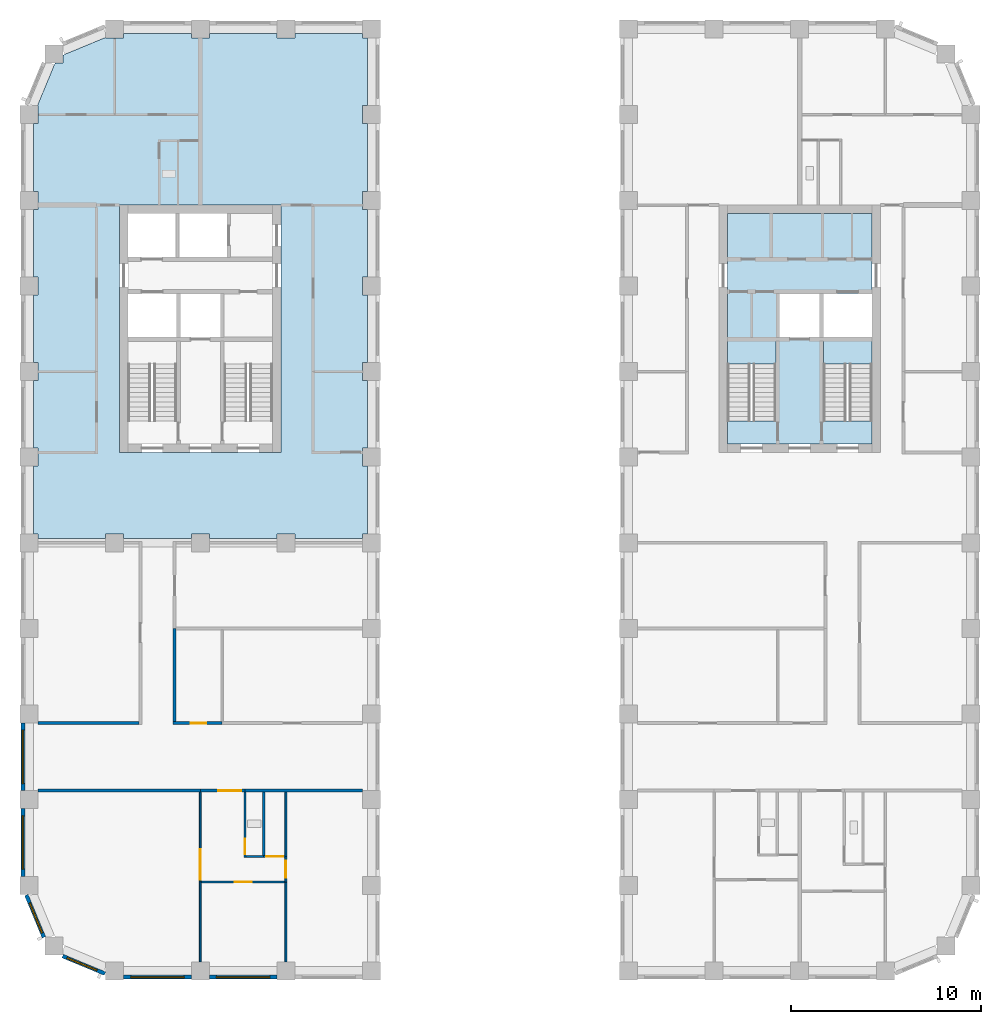
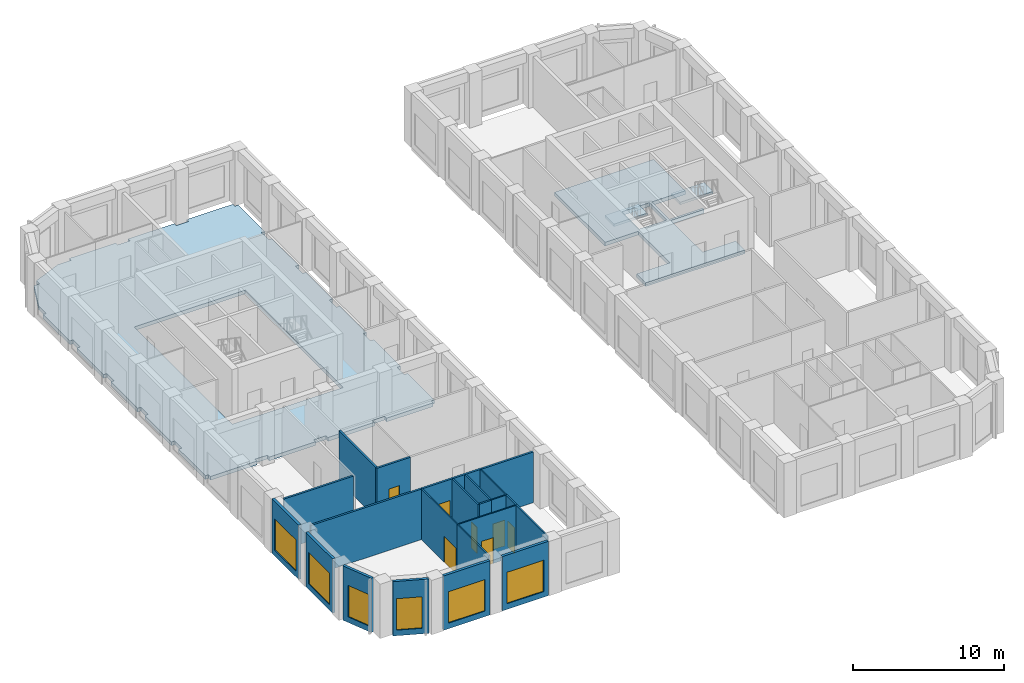
# One storey, part 2 of 13: 22 walls, 7 doors, 6 windows, 4 slabs, 13 openings, 2 elements without a shape of their own.
"""IFC4 building model written with IfcOpenShell, lengths in metres."""

from ifc_helpers import new_model, si_unit, direction, frame, frame_2d, origin, place, context, subcontext, project, spatial, polyline, rectangle, outline, extrude, material, layer, layer_set, type_object, element, fill, aggregate, save


model = new_model("IFC4")

# Units and contexts
model_context = context("Model", 3, precision=1e-05, world=origin(), true_north=direction((0.0, 1.0)))
body_context = subcontext(model_context, "Body", "Model", "MODEL_VIEW")
ifc_project = project(units=[si_unit("LENGTHUNIT", "METRE"), si_unit("AREAUNIT", "SQUARE_METRE"), si_unit("VOLUMEUNIT", "CUBIC_METRE"), si_unit("PLANEANGLEUNIT", "RADIAN"), si_unit("MASSUNIT", "GRAM", prefix="KILO")], contexts=[model_context])

# Site, building, storey
site_placement = place(None, origin())
site = spatial("IfcSite", under=ifc_project, at=site_placement, CompositionType="ELEMENT")
building_placement = place(site_placement, origin())
building = spatial("IfcBuilding", under=site, at=building_placement, Name="Girih Gate Residences", CompositionType="ELEMENT")
storey_placement = place(building_placement, frame((0.0, 0.0, 150.60009765625)))
storey = spatial("IfcBuildingStorey", under=building, at=storey_placement, Name="L42", CompositionType="ELEMENT", Elevation=150.60009765625)

# Slabs
ifc_material_1 = material(Name="Concrete C40/50", Category="concrete")
ifc_layer_1 = layer(ifc_material_1, 0.300048828125)
ifc_layer_set_1 = layer_set([ifc_layer_1], Name="Core floor slab 300")
slab_type_1 = type_object("IfcSlabType", Name="Core floor slab 300", PredefinedType="FLOOR", material=ifc_layer_set_1)
slab_1_placement = place(storey_placement, frame((0.0, 0.0, -0.300048828125)))
element("IfcSlab", 1, at=slab_1_placement, inside=storey, type_object=slab_type_1, Name="L42 E core floor", PredefinedType="FLOOR", context=body_context, shape_type="SweptSolid", body=[
    extrude(outline(polyline([(44.300048828125, 27.699951171875), (36.699951171875, 27.699951171875), (36.699951171875, 28.900634765625), (39.25, 28.900634765625), (39.25, 33.10009765625), (36.699951171875, 33.10009765625), (36.699951171875, 39.800048828125), (44.300048828125, 39.800048828125), (44.300048828125, 35.60009765625), (41.75, 35.60009765625), (41.75, 33.300048828125), (44.300048828125, 33.300048828125), (44.300048828125, 33.10009765625), (41.75, 33.10009765625), (41.75, 28.900634765625), (44.300048828125, 28.900634765625), (44.300048828125, 27.699951171875)]), holes=[polyline([(39.449951171875, 33.300048828125), (41.550048828125, 33.300048828125), (41.550048828125, 35.60009765625), (39.449951171875, 35.60009765625), (39.449951171875, 33.300048828125)])]), origin(), (0.0, 0.0, 1.0), 0.300048828125),
])
ifc_layer_2 = layer(ifc_material_1, 0.300048828125)
ifc_layer_set_2 = layer_set([ifc_layer_2], Name="Floor slab PT 300 Concrete C40/50")
slab_type_2 = type_object("IfcSlabType", Name="Floor slab PT 300 Concrete C40/50", PredefinedType="FLOOR", material=ifc_layer_set_2)
slab_2_placement = place(storey_placement, frame((0.0, 0.0, -0.300048828125)))
element("IfcSlab", 2, at=slab_2_placement, inside=storey, type_object=slab_type_2, Name="Floor slab L42 2", PredefinedType="FLOOR", context=body_context, shape_type="SweptSolid", body=[
    extrude(outline(polyline([(0.22509765625, 26.52490234375), (0.22509765625, 22.97509765625), (0.47509765625, 22.97509765625), (0.47509765625, 22.72509765625), (4.02490234375, 22.72509765625), (4.02490234375, 22.97509765625), (4.97509765625, 22.97509765625), (4.97509765625, 22.72509765625), (8.52490234375, 22.72509765625), (8.52490234375, 22.97509765625), (9.47509765625, 22.97509765625), (9.47509765625, 22.72509765625), (13.02490234375, 22.72509765625), (13.02490234375, 22.97509765625), (13.97509765625, 22.97509765625), (13.97509765625, 22.72509765625), (17.52490234375, 22.72509765625), (17.52490234375, 22.97509765625), (17.77490234375, 22.97509765625), (17.77490234375, 26.52490234375), (17.52490234375, 26.52490234375), (17.52490234375, 27.47509765625), (17.77490234375, 27.47509765625), (17.77490234375, 31.02490234375), (17.52490234375, 31.02490234375), (17.52490234375, 31.97509765625), (17.77490234375, 31.97509765625), (17.77490234375, 35.52490234375), (17.52490234375, 35.52490234375), (17.52490234375, 36.47509765625), (17.77490234375, 36.47509765625), (17.77490234375, 40.02490234375), (17.52490234375, 40.02490234375), (17.52490234375, 40.97509765625), (17.77490234375, 40.97509765625), (17.77490234375, 44.52490234375), (17.52490234375, 44.52490234375), (17.52490234375, 45.47509765625), (17.77490234375, 45.47509765625), (17.77490234375, 49.02490234375), (17.52490234375, 49.02490234375), (17.52490234375, 49.27490234375), (13.97509765625, 49.27490234375), (13.97509765625, 49.02490234375), (13.02490234375, 49.02490234375), (13.02490234375, 49.27490234375), (9.47509765625, 49.27490234375), (9.47509765625, 49.02490234375), (8.52490234375, 49.02490234375), (8.52490234375, 49.27490234375), (4.97509765625, 49.27490234375), (4.97509765625, 49.02490234375), (4.02490234375, 49.02490234375), (4.02490234375, 49.059814453125), (1.79296875, 48.13525390625), (1.79296875, 47.70703125), (1.36474609375, 47.70703125), (0.440185546875, 45.47509765625), (0.47509765625, 45.47509765625), (0.47509765625, 44.52490234375), (0.22509765625, 44.52490234375), (0.22509765625, 40.97509765625), (0.47509765625, 40.97509765625), (0.47509765625, 40.02490234375), (0.22509765625, 40.02490234375), (0.22509765625, 36.47509765625), (0.47509765625, 36.47509765625), (0.47509765625, 35.52490234375), (0.22509765625, 35.52490234375), (0.22509765625, 31.97509765625), (0.47509765625, 31.97509765625), (0.47509765625, 31.02490234375), (0.22509765625, 31.02490234375), (0.22509765625, 27.47509765625), (0.47509765625, 27.47509765625), (0.47509765625, 26.52490234375), (0.22509765625, 26.52490234375)]), holes=[polyline([(13.25, 40.25), (13.25, 27.25), (4.75, 27.25), (4.75, 40.25), (13.25, 40.25)])]), origin(), (0.0, 0.0, 1.0), 0.300048828125),
])

# Stair, slab
stair_type = type_object("IfcStairType", Name="Exit stair", PredefinedType="HALF_TURN_STAIR", material=ifc_material_1)
stair_1_placement = place(storey_placement, origin())
stair_1 = element("IfcStair", 3, at=stair_1_placement, inside=storey, type_object=stair_type, Name="L42 Exit Stair ST-E1", PredefinedType="HALF_TURN_STAIR")
ifc_layer_3 = layer(ifc_material_1, 0.199951171875)
ifc_layer_set_3 = layer_set([ifc_layer_3], Name="Stair landing 200")
slab_type_3 = type_object("IfcSlabType", Name="Stair landing 200", PredefinedType="LANDING", material=ifc_layer_set_3)
slab_3_placement = place(storey_placement, frame((0.0, 0.0, 2.0)))
slab_3 = element("IfcSlab", 4, at=slab_3_placement, type_object=slab_type_3, Name="ST-E1 landing 1", PredefinedType="LANDING", context=body_context, shape_type="SweptSolid", body=[
    extrude(outline(polyline([(44.300048828125, 31.89990234375), (44.300048828125, 33.10009765625), (41.75, 33.10009765625), (41.75, 31.89990234375), (44.300048828125, 31.89990234375)])), origin(), (0.0, 0.0, 1.0), 0.199951171875),
])
aggregate(stair_1, [slab_3])

stair_2_placement = place(storey_placement, origin())
stair_2 = element("IfcStair", 5, at=stair_2_placement, inside=storey, type_object=stair_type, Name="L42 Exit Stair ST-E2", PredefinedType="HALF_TURN_STAIR")
slab_4_placement = place(storey_placement, frame((0.0, 0.0, 2.0)))
slab_4 = element("IfcSlab", 6, at=slab_4_placement, type_object=slab_type_3, Name="ST-E2 landing 1", PredefinedType="LANDING", context=body_context, shape_type="SweptSolid", body=[
    extrude(outline(polyline([(39.25, 31.89990234375), (39.25, 33.10009765625), (36.699951171875, 33.10009765625), (36.699951171875, 31.89990234375), (39.25, 31.89990234375)])), origin(), (0.0, 0.0, 1.0), 0.199951171875),
])
aggregate(stair_2, [slab_4])

# Wall
ifc_material_2 = material(Name="Gypsum board on steel studs", Category="steel")
ifc_layer_4 = layer(ifc_material_2, 0.14990234375)
ifc_layer_set_4 = layer_set([ifc_layer_4], Name="Compartment wall 150 mm")
wall_type_1 = type_object("IfcWallType", Name="Compartment wall 150 mm", PredefinedType="PARTITIONING", material=ifc_layer_set_4)
wall_1_placement = place(storey_placement, frame((11.35009765625, 9.47509765625, 0.0), z_axis=(0.0, 0.0, 1.0), x_axis=(1.0, 0.0, 0.0)))
element("IfcWall", 7, at=wall_1_placement, inside=storey, type_object=wall_type_1, Name="L42 partition", PredefinedType="PARTITIONING", context=body_context, shape_type="SweptSolid", body=[
    extrude(rectangle(XDim=6.1748046875, YDim=0.14990234375, at=frame_2d((3.08740234375, 0.0))), origin(), (0.0, 0.0, 1.0), 4.099853515625),
])

# Wall, opening, door
wall_2_placement = place(storey_placement, frame((11.35009765625, 9.47509765625, 0.0), z_axis=(0.0, 0.0, 1.0), x_axis=(-1.0, 0.0, 0.0)))
wall_2 = element("IfcWall", 8, at=wall_2_placement, inside=storey, type_object=wall_type_1, Name="L42 partition", PredefinedType="PARTITIONING", context=body_context, shape_type="SweptSolid", body=[
    extrude(rectangle(XDim=2.35009765625, YDim=0.14990234375, at=frame_2d((1.175048828125, 0.0))), origin(), (0.0, 0.0, 1.0), 4.099853515625),
])
opening_1_placement = place(wall_2_placement, frame((0.199951171875, 0.0, 0.0)))
opening_1 = element("IfcOpeningElement", 9, at=opening_1_placement, cuts=wall_2, Name="Opening A42-006", PredefinedType="OPENING", context=body_context, shape_type="SweptSolid", body=[
    extrude(rectangle(XDim=1.199951171875, YDim=2.39990234375, at=frame_2d((0.60009765625, 1.199951171875))), frame((0.0, 0.0849609375, 0.0), z_axis=(0.0, -1.0, 0.0), x_axis=(1.0, 0.0, 0.0)), (0.0, 0.0, 1.0), 0.169921875),
])
ifc_material_3 = material(Name="Timber, fire-rated core", Category="wood")
door_type_1 = type_object("IfcDoorType", Name="Villa entrance door 1200x2400 FD30S", OperationType="NOTDEFINED", PredefinedType="DOOR", material=ifc_material_3)
door_1_placement = place(opening_1_placement, origin())
door_1 = element("IfcDoor", 10, at=door_1_placement, inside=storey, type_object=door_type_1, Name="Door A42-006", OperationType="SINGLE_SWING_LEFT", OverallHeight=2.39990234375, OverallWidth=1.199951171875, PredefinedType="DOOR", context=body_context, shape_type="SweptSolid", body=[
    extrude(rectangle(XDim=1.199951171875, YDim=2.39990234375, at=frame_2d((0.60009765625, 1.199951171875))), frame((0.0, 0.02490234375, 0.0), z_axis=(0.0, -1.0, 0.0), x_axis=(1.0, 0.0, 0.0)), (0.0, 0.0, 1.0), 0.050048828125),
])
fill(opening_1, door_1)

# Wall
wall_3_placement = place(storey_placement, frame((0.47509765625, 9.47509765625, 0.0), z_axis=(0.0, 0.0, 1.0), x_axis=(1.0, 0.0, 0.0)))
element("IfcWall", 11, at=wall_3_placement, inside=storey, type_object=wall_type_1, Name="L42 partition", PredefinedType="PARTITIONING", context=body_context, shape_type="SweptSolid", body=[
    extrude(rectangle(XDim=8.52490234375, YDim=0.14990234375, at=frame_2d((4.262451171875, 0.0))), origin(), (0.0, 0.0, 1.0), 4.099853515625),
])

# Wall, opening, door
wall_4_placement = place(storey_placement, frame((7.574951171875, 13.02490234375, 0.0), z_axis=(0.0, 0.0, 1.0), x_axis=(1.0, 0.0, 0.0)))
wall_4 = element("IfcWall", 12, at=wall_4_placement, inside=storey, type_object=wall_type_1, Name="L42 partition", PredefinedType="PARTITIONING", context=body_context, shape_type="SweptSolid", body=[
    extrude(rectangle(XDim=2.574951171875, YDim=0.14990234375, at=frame_2d((1.28759765625, 0.0))), origin(), (0.0, 0.0, 1.0), 4.099853515625),
])
opening_2_placement = place(wall_4_placement, frame((0.925048828125, 0.0, 0.0)))
opening_2 = element("IfcOpeningElement", 13, at=opening_2_placement, cuts=wall_4, Name="Opening A42-032", PredefinedType="OPENING", context=body_context, shape_type="SweptSolid", body=[
    extrude(rectangle(XDim=0.800048828125, YDim=2.10009765625, at=frame_2d((0.39990234375, 1.050048828125))), frame((0.0, 0.0849609375, 0.0), z_axis=(0.0, -1.0, 0.0), x_axis=(1.0, 0.0, 0.0)), (0.0, 0.0, 1.0), 0.169921875),
])
ifc_material_4 = material(Name="Timber", Category="wood")
door_type_2 = type_object("IfcDoorType", Name="Bathroom door 800x2100", OperationType="NOTDEFINED", PredefinedType="DOOR", material=ifc_material_4)
door_2_placement = place(opening_2_placement, origin())
door_2 = element("IfcDoor", 14, at=door_2_placement, inside=storey, type_object=door_type_2, Name="Door A42-032", OperationType="SINGLE_SWING_RIGHT", OverallHeight=2.10009765625, OverallWidth=0.800048828125, PredefinedType="DOOR", context=body_context, shape_type="SweptSolid", body=[
    extrude(rectangle(XDim=0.800048828125, YDim=2.10009765625, at=frame_2d((0.39990234375, 1.050048828125))), frame((0.0, 0.02490234375, 0.0), z_axis=(0.0, -1.0, 0.0), x_axis=(1.0, 0.0, 0.0)), (0.0, 0.0, 1.0), 0.050048828125),
])
fill(opening_2, door_2)

# Walls
wall_5_placement = place(storey_placement, frame((0.47509765625, 13.02490234375, 0.0), z_axis=(0.0, 0.0, 1.0), x_axis=(1.0, 0.0, 0.0)))
element("IfcWall", 15, at=wall_5_placement, inside=storey, type_object=wall_type_1, Name="L42 partition", PredefinedType="PARTITIONING", context=body_context, shape_type="SweptSolid", body=[
    extrude(rectangle(XDim=5.2998046875, YDim=0.14990234375, at=frame_2d((2.64990234375, 0.0))), origin(), (0.0, 0.0, 1.0), 4.099853515625),
])
wall_6_placement = place(storey_placement, frame((7.64990234375, 13.10009765625, 0.0), z_axis=(0.0, 0.0, 1.0), x_axis=(0.0, 1.0, 0.0)))
element("IfcWall", 16, at=wall_6_placement, inside=storey, type_object=wall_type_1, Name="L42 partition", PredefinedType="PARTITIONING", context=body_context, shape_type="SweptSolid", body=[
    extrude(rectangle(XDim=4.89990234375, YDim=0.14990234375, at=frame_2d((2.449951171875, 0.0))), origin(), (0.0, 0.0, 1.0), 4.099853515625),
])
ifc_layer_5 = layer(ifc_material_2, 0.10009765625)
ifc_layer_set_5 = layer_set([ifc_layer_5], Name="Partition 100 mm")
wall_type_2 = type_object("IfcWallType", Name="Partition 100 mm", PredefinedType="PARTITIONING", material=ifc_layer_set_5)
wall_7_placement = place(storey_placement, frame((13.5, 0.47509765625, 0.0), z_axis=(0.0, 0.0, 1.0), x_axis=(0.0, 1.0, 0.0)))
element("IfcWall", 17, at=wall_7_placement, inside=storey, type_object=wall_type_2, Name="L42 partition", PredefinedType="PARTITIONING", context=body_context, shape_type="SweptSolid", body=[
    extrude(rectangle(XDim=4.199951171875, YDim=0.10009765625, at=frame_2d((2.10009765625, 0.0))), origin(), (0.0, 0.0, 1.0), 4.099853515625),
])

# Wall, opening, door
wall_8_placement = place(storey_placement, frame((13.449951171875, 4.675048828125, 0.0), z_axis=(0.0, 0.0, 1.0), x_axis=(-1.0, 0.0, 0.0)))
wall_8 = element("IfcWall", 18, at=wall_8_placement, inside=storey, type_object=wall_type_2, Name="L42 partition", PredefinedType="PARTITIONING", context=body_context, shape_type="SweptSolid", body=[
    extrude(rectangle(XDim=4.39990234375, YDim=0.10009765625, at=frame_2d((2.199951171875, 0.0))), origin(), (0.0, 0.0, 1.0), 4.099853515625),
])
opening_3_placement = place(wall_8_placement, frame((1.75, 0.0, 0.0)))
opening_3 = element("IfcOpeningElement", 19, at=opening_3_placement, cuts=wall_8, Name="Opening A42-002", PredefinedType="OPENING", context=body_context, shape_type="SweptSolid", body=[
    extrude(rectangle(XDim=0.89990234375, YDim=2.10009765625, at=frame_2d((0.449951171875, 1.050048828125))), frame((0.0, 0.06005859375, 0.0), z_axis=(0.0, -1.0, 0.0), x_axis=(1.0, 0.0, 0.0)), (0.0, 0.0, 1.0), 0.1201171875),
])
door_type_3 = type_object("IfcDoorType", Name="Bedroom door 900x2100", OperationType="NOTDEFINED", PredefinedType="DOOR", material=ifc_material_4)
door_3_placement = place(opening_3_placement, origin())
door_3 = element("IfcDoor", 20, at=door_3_placement, inside=storey, type_object=door_type_3, Name="Door A42-002", OperationType="SINGLE_SWING_RIGHT", OverallHeight=2.10009765625, OverallWidth=0.89990234375, PredefinedType="DOOR", context=body_context, shape_type="SweptSolid", body=[
    extrude(rectangle(XDim=0.89990234375, YDim=2.10009765625, at=frame_2d((0.449951171875, 1.050048828125))), frame((0.0, 0.02490234375, 0.0), z_axis=(0.0, -1.0, 0.0), x_axis=(1.0, 0.0, 0.0)), (0.0, 0.0, 1.0), 0.050048828125),
])
fill(opening_3, door_3)

# Wall
wall_9_placement = place(storey_placement, frame((9.0, 0.47509765625, 0.0), z_axis=(0.0, 0.0, 1.0), x_axis=(0.0, 1.0, 0.0)))
element("IfcWall", 21, at=wall_9_placement, inside=storey, type_object=wall_type_2, Name="L42 partition", PredefinedType="PARTITIONING", context=body_context, shape_type="SweptSolid", body=[
    extrude(rectangle(XDim=4.199951171875, YDim=0.10009765625, at=frame_2d((2.10009765625, 0.0))), origin(), (0.0, 0.0, 1.0), 4.099853515625),
])

# Wall, opening, door
wall_10_placement = place(storey_placement, frame((13.5, 6.014892578125, 0.0), z_axis=(0.0, 0.0, 1.0), x_axis=(0.0, -1.0, 0.0)))
wall_10 = element("IfcWall", 22, at=wall_10_placement, inside=storey, type_object=wall_type_2, Name="L42 partition", PredefinedType="PARTITIONING", context=body_context, shape_type="SweptSolid", body=[
    extrude(rectangle(XDim=1.33984375, YDim=0.10009765625, at=frame_2d((0.669921875, 0.0))), origin(), (0.0, 0.0, 1.0), 4.099853515625),
])
opening_4_placement = place(wall_10_placement, frame((0.219970703125, 0.0, 0.0)))
opening_4 = element("IfcOpeningElement", 23, at=opening_4_placement, cuts=wall_10, Name="Opening A42-003", PredefinedType="OPENING", context=body_context, shape_type="SweptSolid", body=[
    extrude(rectangle(XDim=0.89990234375, YDim=2.10009765625, at=frame_2d((0.449951171875, 1.050048828125))), frame((0.0, 0.06005859375, 0.0), z_axis=(0.0, -1.0, 0.0), x_axis=(1.0, 0.0, 0.0)), (0.0, 0.0, 1.0), 0.1201171875),
])
door_4_placement = place(opening_4_placement, origin())
door_4 = element("IfcDoor", 24, at=door_4_placement, inside=storey, type_object=door_type_3, Name="Door A42-003", OperationType="SINGLE_SWING_RIGHT", OverallHeight=2.10009765625, OverallWidth=0.89990234375, PredefinedType="DOOR", context=body_context, shape_type="SweptSolid", body=[
    extrude(rectangle(XDim=0.89990234375, YDim=2.10009765625, at=frame_2d((0.449951171875, 1.050048828125))), frame((0.0, 0.02490234375, 0.0), z_axis=(0.0, -1.0, 0.0), x_axis=(1.0, 0.0, 0.0)), (0.0, 0.0, 1.0), 0.050048828125),
])
fill(opening_4, door_4)

# Wall
wall_11_placement = place(storey_placement, frame((13.5, 6.014892578125, 0.0), z_axis=(0.0, 0.0, 1.0), x_axis=(0.0, 1.0, 0.0)))
element("IfcWall", 25, at=wall_11_placement, inside=storey, type_object=wall_type_2, Name="L42 partition", PredefinedType="PARTITIONING", context=body_context, shape_type="SweptSolid", body=[
    extrude(rectangle(XDim=3.385009765625, YDim=0.10009765625, at=frame_2d((1.6923828125, 0.0))), origin(), (0.0, 0.0, 1.0), 4.099853515625),
])

# Wall, opening, door
wall_12_placement = place(storey_placement, frame((12.327392578125, 6.014892578125, 0.0), z_axis=(0.0, 0.0, 1.0), x_axis=(1.0, 0.0, 0.0)))
wall_12 = element("IfcWall", 26, at=wall_12_placement, inside=storey, type_object=wall_type_2, Name="L42 partition", PredefinedType="PARTITIONING", context=body_context, shape_type="SweptSolid", body=[
    extrude(rectangle(XDim=1.12255859375, YDim=0.10009765625, at=frame_2d((0.561279296875, 0.0))), origin(), (0.0, 0.0, 1.0), 4.099853515625),
])
opening_5_placement = place(wall_12_placement, frame((0.136474609375, 0.0, 0.0)))
opening_5 = element("IfcOpeningElement", 27, at=opening_5_placement, cuts=wall_12, Name="Opening A42-004", PredefinedType="OPENING", context=body_context, shape_type="SweptSolid", body=[
    extrude(rectangle(XDim=0.89990234375, YDim=2.10009765625, at=frame_2d((0.449951171875, 1.050048828125))), frame((0.0, 0.06005859375, 0.0), z_axis=(0.0, -1.0, 0.0), x_axis=(1.0, 0.0, 0.0)), (0.0, 0.0, 1.0), 0.1201171875),
])
door_type_4 = type_object("IfcDoorType", Name="Kitchen door 900x2100", OperationType="NOTDEFINED", PredefinedType="DOOR", material=ifc_material_4)
door_5_placement = place(opening_5_placement, origin())
door_5 = element("IfcDoor", 28, at=door_5_placement, inside=storey, type_object=door_type_4, Name="Door A42-004", OperationType="SINGLE_SWING_RIGHT", OverallHeight=2.10009765625, OverallWidth=0.89990234375, PredefinedType="DOOR", context=body_context, shape_type="SweptSolid", body=[
    extrude(rectangle(XDim=0.89990234375, YDim=2.10009765625, at=frame_2d((0.449951171875, 1.050048828125))), frame((0.0, 0.02490234375, 0.0), z_axis=(0.0, -1.0, 0.0), x_axis=(1.0, 0.0, 0.0)), (0.0, 0.0, 1.0), 0.050048828125),
])
fill(opening_5, door_5)

wall_13_placement = place(storey_placement, frame((9.0, 4.675048828125, 0.0), z_axis=(0.0, 0.0, 1.0), x_axis=(0.0, 1.0, 0.0)))
wall_13 = element("IfcWall", 29, at=wall_13_placement, inside=storey, type_object=wall_type_2, Name="L42 partition", PredefinedType="PARTITIONING", context=body_context, shape_type="SweptSolid", body=[
    extrude(rectangle(XDim=4.724853515625, YDim=0.10009765625, at=frame_2d((2.3623046875, 0.0))), origin(), (0.0, 0.0, 1.0), 4.099853515625),
])
opening_6_placement = place(wall_13_placement, frame((0.1298828125, 0.0, 0.0)))
opening_6 = element("IfcOpeningElement", 30, at=opening_6_placement, cuts=wall_13, Name="Opening A42-005", PredefinedType="OPENING", context=body_context, shape_type="SweptSolid", body=[
    extrude(rectangle(XDim=1.60009765625, YDim=2.10009765625, at=frame_2d((0.800048828125, 1.050048828125))), frame((0.0, 0.06005859375, 0.0), z_axis=(0.0, -1.0, 0.0), x_axis=(1.0, 0.0, 0.0)), (0.0, 0.0, 1.0), 0.1201171875),
])
door_type_5 = type_object("IfcDoorType", Name="Double leaf door 1600x2100", OperationType="NOTDEFINED", PredefinedType="DOOR", material=ifc_material_4)
door_6_placement = place(opening_6_placement, origin())
door_6 = element("IfcDoor", 31, at=door_6_placement, inside=storey, type_object=door_type_5, Name="Door A42-005", OperationType="SINGLE_SWING_LEFT", OverallHeight=2.10009765625, OverallWidth=1.60009765625, PredefinedType="DOOR", context=body_context, shape_type="SweptSolid", body=[
    extrude(rectangle(XDim=1.60009765625, YDim=2.10009765625, at=frame_2d((0.800048828125, 1.050048828125))), frame((0.0, 0.02490234375, 0.0), z_axis=(0.0, -1.0, 0.0), x_axis=(1.0, 0.0, 0.0)), (0.0, 0.0, 1.0), 0.050048828125),
])
fill(opening_6, door_6)

# Wall, opening, window
ifc_material_5 = material(Name="Precast concrete C50/60", Category="concrete")
ifc_layer_6 = layer(ifc_material_5, 0.06005859375, Name="Outer leaf")
ifc_material_6 = material(Name="Rigid PIR insulation")
ifc_layer_7 = layer(ifc_material_6, 0.090087890625, Name="Insulation")
ifc_material_7 = material(Name="Precast concrete C40/50", Category="concrete")
ifc_layer_8 = layer(ifc_material_7, 0.050048828125, Name="Inner leaf")
ifc_layer_set_6 = layer_set([ifc_layer_6, ifc_layer_7, ifc_layer_8], Name="Precast concrete C50/60 external wall 200")
wall_type_3 = type_object("IfcWallType", Name="Precast concrete C50/60 external wall 200", PredefinedType="SOLIDWALL", material=ifc_layer_set_6)
wall_14_placement = place(storey_placement, frame((-0.324951171875, 9.47509765625, 0.0), z_axis=(0.0, 0.0, 1.0), x_axis=(0.0, 1.0, 0.0)))
wall_14 = element("IfcWall", 32, at=wall_14_placement, inside=storey, type_object=wall_type_3, Name="External wall W0000_0450.7", PredefinedType="SOLIDWALL", context=body_context, shape_type="SweptSolid", body=[
    extrude(rectangle(XDim=3.5498046875, YDim=0.199951171875, at=frame_2d((1.77490234375, 0.0))), origin(), (0.0, 0.0, 1.0), 4.39990234375),
])
opening_7_placement = place(wall_14_placement, frame((0.375, 0.0, 0.449951171875)))
opening_7 = element("IfcOpeningElement", 33, at=opening_7_placement, cuts=wall_14, Name="Opening W-6A", PredefinedType="OPENING", context=body_context, shape_type="SweptSolid", body=[
    extrude(rectangle(XDim=2.800048828125, YDim=2.550048828125, at=frame_2d((1.39990234375, 1.27490234375))), frame((0.0, 0.10986328125, 0.0), z_axis=(0.0, -1.0, 0.0), x_axis=(1.0, 0.0, 0.0)), (0.0, 0.0, 1.0), 0.219970703125),
])
ifc_material_8 = material(Name="Double glazing in aluminium frame", Category="aluminium")
window_type_1 = type_object("IfcWindowType", Name="Window W-6A 2800x2550", PartitioningType="SINGLE_PANEL", PredefinedType="WINDOW", material=ifc_material_8)
window_1_placement = place(opening_7_placement, origin())
window_1 = element("IfcWindow", 34, at=window_1_placement, inside=storey, type_object=window_type_1, Name="Window W-6A W0000_0450.7", OverallHeight=2.550048828125, OverallWidth=2.800048828125, PartitioningType="SINGLE_PANEL", PredefinedType="WINDOW", context=body_context, shape_type="SweptSolid", body=[
    extrude(rectangle(XDim=2.800048828125, YDim=2.550048828125, at=frame_2d((1.39990234375, 1.27490234375))), frame((0.0, 0.030029296875, 0.0), z_axis=(0.0, -1.0, 0.0), x_axis=(1.0, 0.0, 0.0)), (0.0, 0.0, 1.0), 0.06005859375),
])
fill(opening_7, window_1)

wall_15_placement = place(storey_placement, frame((-0.324951171875, 4.97509765625, 0.0), z_axis=(0.0, 0.0, 1.0), x_axis=(0.0, 1.0, 0.0)))
wall_15 = element("IfcWall", 35, at=wall_15_placement, inside=storey, type_object=wall_type_3, Name="External wall W0000_0450.8", PredefinedType="SOLIDWALL", context=body_context, shape_type="SweptSolid", body=[
    extrude(rectangle(XDim=3.5498046875, YDim=0.199951171875, at=frame_2d((1.77490234375, 0.0))), origin(), (0.0, 0.0, 1.0), 4.39990234375),
])
opening_8_placement = place(wall_15_placement, frame((0.375, 0.0, 0.449951171875)))
opening_8 = element("IfcOpeningElement", 36, at=opening_8_placement, cuts=wall_15, Name="Opening W-6A", PredefinedType="OPENING", context=body_context, shape_type="SweptSolid", body=[
    extrude(rectangle(XDim=2.800048828125, YDim=2.550048828125, at=frame_2d((1.39990234375, 1.27490234375))), frame((0.0, 0.10986328125, 0.0), z_axis=(0.0, -1.0, 0.0), x_axis=(1.0, 0.0, 0.0)), (0.0, 0.0, 1.0), 0.219970703125),
])
window_2_placement = place(opening_8_placement, origin())
window_2 = element("IfcWindow", 37, at=window_2_placement, inside=storey, type_object=window_type_1, Name="Window W-6A W0000_0450.8", OverallHeight=2.550048828125, OverallWidth=2.800048828125, PartitioningType="SINGLE_PANEL", PredefinedType="WINDOW", context=body_context, shape_type="SweptSolid", body=[
    extrude(rectangle(XDim=2.800048828125, YDim=2.550048828125, at=frame_2d((1.39990234375, 1.27490234375))), frame((0.0, 0.030029296875, 0.0), z_axis=(0.0, -1.0, 0.0), x_axis=(1.0, 0.0, 0.0)), (0.0, 0.0, 1.0), 0.06005859375),
])
fill(opening_8, window_2)

wall_16_placement = place(storey_placement, frame((0.7802734375, 1.76708984375, 0.0), z_axis=(0.0, 0.0, 1.0), x_axis=(-0.382680855588, 0.923880599843, 0.0)))
wall_16 = element("IfcWall", 38, at=wall_16_placement, inside=storey, type_object=wall_type_3, Name="External wall SW0000_0045.0", PredefinedType="SOLIDWALL", context=body_context, shape_type="SweptSolid", body=[
    extrude(rectangle(XDim=2.402587890625, YDim=0.199951171875, at=frame_2d((1.201171875, 0.0))), origin(), (0.0, 0.0, 1.0), 4.39990234375),
])
opening_9_placement = place(wall_16_placement, frame((0.25146484375, 0.0, 0.449951171875)))
opening_9 = element("IfcOpeningElement", 39, at=opening_9_placement, cuts=wall_16, Name="Opening W-2F", PredefinedType="OPENING", context=body_context, shape_type="SweptSolid", body=[
    extrude(rectangle(XDim=1.699951171875, YDim=2.550048828125, at=frame_2d((0.85009765625, 1.27490234375))), frame((0.0, 0.10986328125, 0.0), z_axis=(0.0, -1.0, 0.0), x_axis=(1.0, 0.0, 0.0)), (0.0, 0.0, 1.0), 0.219970703125),
])
window_type_2 = type_object("IfcWindowType", Name="Window W-2F 1700x2550", PartitioningType="SINGLE_PANEL", PredefinedType="WINDOW", material=ifc_material_8)
window_3_placement = place(opening_9_placement, origin())
window_3 = element("IfcWindow", 40, at=window_3_placement, inside=storey, type_object=window_type_2, Name="Window W-2F SW0000_0045.0", OverallHeight=2.550048828125, OverallWidth=1.699951171875, PartitioningType="SINGLE_PANEL", PredefinedType="WINDOW", context=body_context, shape_type="SweptSolid", body=[
    extrude(rectangle(XDim=1.699951171875, YDim=2.550048828125, at=frame_2d((0.85009765625, 1.27490234375))), frame((0.0, 0.030029296875, 0.0), z_axis=(0.0, -1.0, 0.0), x_axis=(1.0, 0.0, 0.0)), (0.0, 0.0, 1.0), 0.06005859375),
])
fill(opening_9, window_3)

wall_17_placement = place(storey_placement, frame((3.98681640625, -0.13916015625, 0.0), z_axis=(0.0, 0.0, 1.0), x_axis=(-0.923880599843, 0.382680855588, 0.0)))
wall_17 = element("IfcWall", 41, at=wall_17_placement, inside=storey, type_object=wall_type_3, Name="External wall SW0013_0013.0", PredefinedType="SOLIDWALL", context=body_context, shape_type="SweptSolid", body=[
    extrude(rectangle(XDim=2.402587890625, YDim=0.199951171875, at=frame_2d((1.201171875, 0.0))), origin(), (0.0, 0.0, 1.0), 4.39990234375),
])
opening_10_placement = place(wall_17_placement, frame((0.451171875, 0.0, 0.449951171875)))
opening_10 = element("IfcOpeningElement", 42, at=opening_10_placement, cuts=wall_17, Name="Opening W-2F", PredefinedType="OPENING", context=body_context, shape_type="SweptSolid", body=[
    extrude(rectangle(XDim=1.699951171875, YDim=2.550048828125, at=frame_2d((0.85009765625, 1.27490234375))), frame((0.0, 0.10986328125, 0.0), z_axis=(0.0, -1.0, 0.0), x_axis=(1.0, 0.0, 0.0)), (0.0, 0.0, 1.0), 0.219970703125),
])
window_4_placement = place(opening_10_placement, origin())
window_4 = element("IfcWindow", 43, at=window_4_placement, inside=storey, type_object=window_type_2, Name="Window W-2F SW0013_0013.0", OverallHeight=2.550048828125, OverallWidth=1.699951171875, PartitioningType="SINGLE_PANEL", PredefinedType="WINDOW", context=body_context, shape_type="SweptSolid", body=[
    extrude(rectangle(XDim=1.699951171875, YDim=2.550048828125, at=frame_2d((0.85009765625, 1.27490234375))), frame((0.0, 0.030029296875, 0.0), z_axis=(0.0, -1.0, 0.0), x_axis=(1.0, 0.0, 0.0)), (0.0, 0.0, 1.0), 0.06005859375),
])
fill(opening_10, window_4)

wall_18_placement = place(storey_placement, frame((8.52490234375, -0.324951171875, 0.0), z_axis=(0.0, 0.0, 1.0), x_axis=(-1.0, 0.0, 0.0)))
wall_18 = element("IfcWall", 44, at=wall_18_placement, inside=storey, type_object=wall_type_3, Name="External wall S0045_0000.0", PredefinedType="SOLIDWALL", context=body_context, shape_type="SweptSolid", body=[
    extrude(rectangle(XDim=3.5498046875, YDim=0.199951171875, at=frame_2d((1.77490234375, 0.0))), origin(), (0.0, 0.0, 1.0), 4.39990234375),
])
opening_11_placement = place(wall_18_placement, frame((0.375, 0.0, 0.449951171875)))
opening_11 = element("IfcOpeningElement", 45, at=opening_11_placement, cuts=wall_18, Name="Opening W-6A", PredefinedType="OPENING", context=body_context, shape_type="SweptSolid", body=[
    extrude(rectangle(XDim=2.800048828125, YDim=2.550048828125, at=frame_2d((1.39990234375, 1.27490234375))), frame((0.0, 0.10986328125, 0.0), z_axis=(0.0, -1.0, 0.0), x_axis=(1.0, 0.0, 0.0)), (0.0, 0.0, 1.0), 0.219970703125),
])
window_5_placement = place(opening_11_placement, origin())
window_5 = element("IfcWindow", 46, at=window_5_placement, inside=storey, type_object=window_type_1, Name="Window W-6A S0045_0000.0", OverallHeight=2.550048828125, OverallWidth=2.800048828125, PartitioningType="SINGLE_PANEL", PredefinedType="WINDOW", context=body_context, shape_type="SweptSolid", body=[
    extrude(rectangle(XDim=2.800048828125, YDim=2.550048828125, at=frame_2d((1.39990234375, 1.27490234375))), frame((0.0, 0.030029296875, 0.0), z_axis=(0.0, -1.0, 0.0), x_axis=(1.0, 0.0, 0.0)), (0.0, 0.0, 1.0), 0.06005859375),
])
fill(opening_11, window_5)

wall_19_placement = place(storey_placement, frame((13.02490234375, -0.324951171875, 0.0), z_axis=(0.0, 0.0, 1.0), x_axis=(-1.0, 0.0, 0.0)))
wall_19 = element("IfcWall", 47, at=wall_19_placement, inside=storey, type_object=wall_type_3, Name="External wall S0045_0000.1", PredefinedType="SOLIDWALL", context=body_context, shape_type="SweptSolid", body=[
    extrude(rectangle(XDim=3.5498046875, YDim=0.199951171875, at=frame_2d((1.77490234375, 0.0))), origin(), (0.0, 0.0, 1.0), 4.39990234375),
])
opening_12_placement = place(wall_19_placement, frame((0.375, 0.0, 0.449951171875)))
opening_12 = element("IfcOpeningElement", 48, at=opening_12_placement, cuts=wall_19, Name="Opening W-6A", PredefinedType="OPENING", context=body_context, shape_type="SweptSolid", body=[
    extrude(rectangle(XDim=2.800048828125, YDim=2.550048828125, at=frame_2d((1.39990234375, 1.27490234375))), frame((0.0, 0.10986328125, 0.0), z_axis=(0.0, -1.0, 0.0), x_axis=(1.0, 0.0, 0.0)), (0.0, 0.0, 1.0), 0.219970703125),
])
window_6_placement = place(opening_12_placement, origin())
window_6 = element("IfcWindow", 49, at=window_6_placement, inside=storey, type_object=window_type_1, Name="Window W-6A S0045_0000.1", OverallHeight=2.550048828125, OverallWidth=2.800048828125, PartitioningType="SINGLE_PANEL", PredefinedType="WINDOW", context=body_context, shape_type="SweptSolid", body=[
    extrude(rectangle(XDim=2.800048828125, YDim=2.550048828125, at=frame_2d((1.39990234375, 1.27490234375))), frame((0.0, 0.030029296875, 0.0), z_axis=(0.0, -1.0, 0.0), x_axis=(1.0, 0.0, 0.0)), (0.0, 0.0, 1.0), 0.06005859375),
])
fill(opening_12, window_6)

# Wall
ifc_layer_9 = layer(ifc_material_2, 0.125)
ifc_layer_set_7 = layer_set([ifc_layer_9], Name="Wet room wall 125 mm")
wall_type_4 = type_object("IfcWallType", Name="Wet room wall 125 mm", PredefinedType="PARTITIONING", material=ifc_layer_set_7)
wall_20_placement = place(storey_placement, frame((11.41259765625, 6.014892578125, 0.0), z_axis=(0.0, 0.0, 1.0), x_axis=(1.0, 0.0, 0.0)))
element("IfcWall", 50, at=wall_20_placement, inside=storey, type_object=wall_type_4, Name="L42 partition", PredefinedType="PARTITIONING", context=body_context, shape_type="SweptSolid", body=[
    extrude(rectangle(XDim=0.914794921875, YDim=0.125, at=frame_2d((0.45751953125, 0.0))), origin(), (0.0, 0.0, 1.0), 4.099853515625),
])

# Wall, opening, door
wall_21_placement = place(storey_placement, frame((11.35009765625, 9.39990234375, 0.0), z_axis=(0.0, 0.0, 1.0), x_axis=(0.0, -1.0, 0.0)))
wall_21 = element("IfcWall", 51, at=wall_21_placement, inside=storey, type_object=wall_type_4, Name="L42 partition", PredefinedType="PARTITIONING", context=body_context, shape_type="SweptSolid", body=[
    extrude(rectangle(XDim=3.447509765625, YDim=0.125, at=frame_2d((1.7236328125, 0.0))), origin(), (0.0, 0.0, 1.0), 4.099853515625),
])
opening_13_placement = place(wall_21_placement, frame((2.465087890625, 0.0, 0.0)))
opening_13 = element("IfcOpeningElement", 52, at=opening_13_placement, cuts=wall_21, Name="Opening A42-001", PredefinedType="OPENING", context=body_context, shape_type="SweptSolid", body=[
    extrude(rectangle(XDim=0.800048828125, YDim=2.10009765625, at=frame_2d((0.39990234375, 1.050048828125))), frame((0.0, 0.072509765625, 0.0), z_axis=(0.0, -1.0, 0.0), x_axis=(1.0, 0.0, 0.0)), (0.0, 0.0, 1.0), 0.14501953125),
])
door_7_placement = place(opening_13_placement, origin())
door_7 = element("IfcDoor", 53, at=door_7_placement, inside=storey, type_object=door_type_2, Name="Door A42-001", OperationType="SINGLE_SWING_RIGHT", OverallHeight=2.10009765625, OverallWidth=0.800048828125, PredefinedType="DOOR", context=body_context, shape_type="SweptSolid", body=[
    extrude(rectangle(XDim=0.800048828125, YDim=2.10009765625, at=frame_2d((0.39990234375, 1.050048828125))), frame((0.0, 0.02490234375, 0.0), z_axis=(0.0, -1.0, 0.0), x_axis=(1.0, 0.0, 0.0)), (0.0, 0.0, 1.0), 0.050048828125),
])
fill(opening_13, door_7)

# Wall
wall_22_placement = place(storey_placement, frame((12.326904296875, 6.077392578125, 0.0), z_axis=(0.0, 0.0, 1.0), x_axis=(0.0, 1.0, 0.0)))
element("IfcWall", 54, at=wall_22_placement, inside=storey, type_object=wall_type_4, Name="L42 partition", PredefinedType="PARTITIONING", context=body_context, shape_type="SweptSolid", body=[
    extrude(rectangle(XDim=3.322509765625, YDim=0.125, at=frame_2d((1.6611328125, 0.0))), origin(), (0.0, 0.0, 1.0), 4.099853515625),
])

save(model, "model.ifc")
